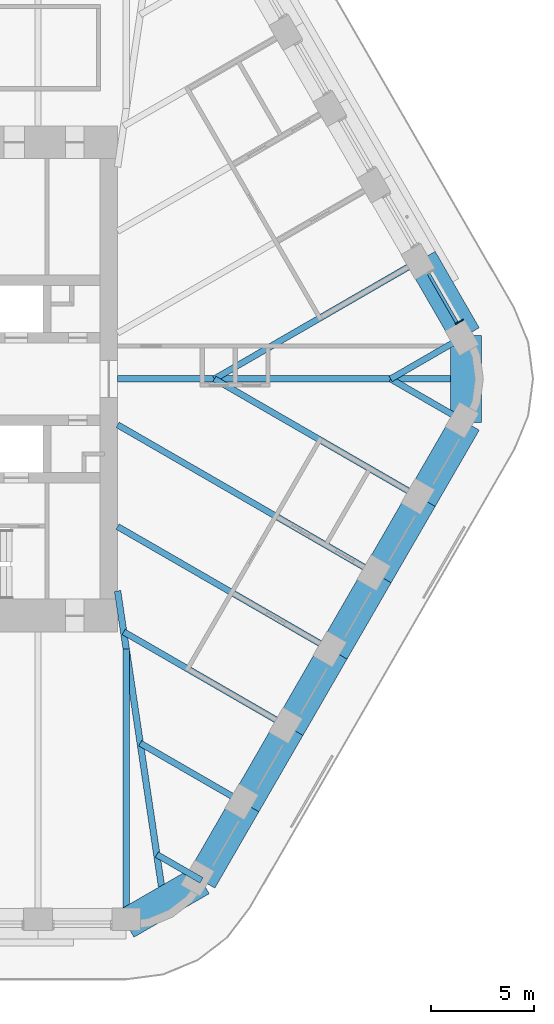
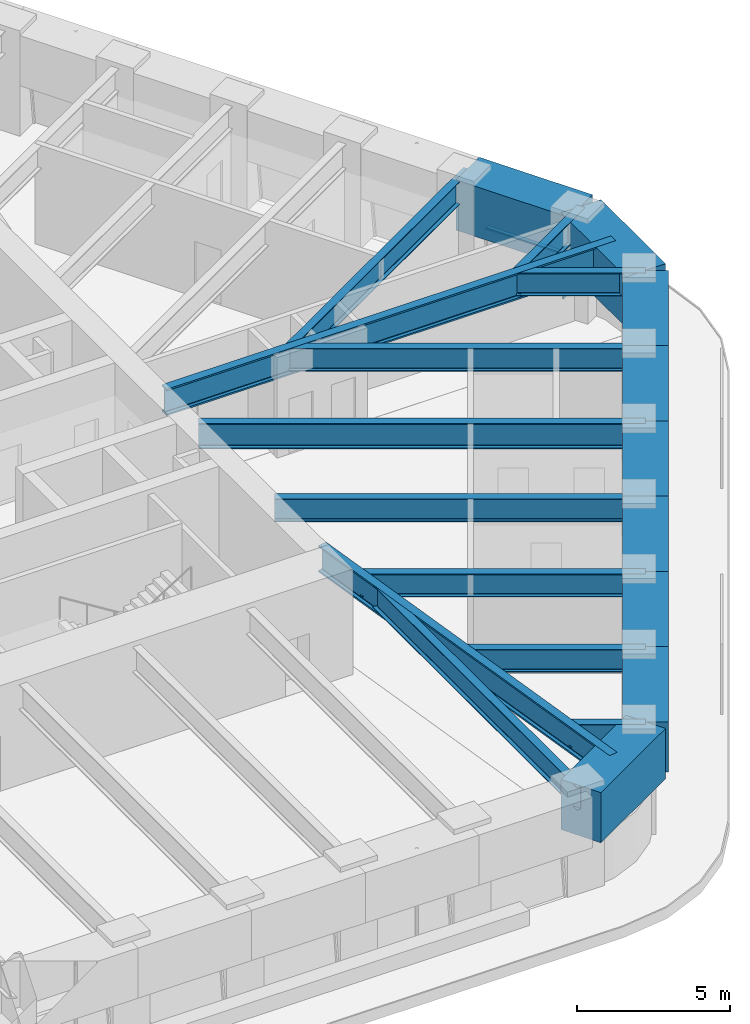
# One storey, part 5 of 18: 21 beams, 2 members, 1 element without a shape of its own.
"""IFC4 building model written with IfcOpenShell, lengths in metres."""

from ifc_helpers import new_model, si_unit, direction, frame, origin, origin_2d, place, context, subcontext, project, spatial, rectangle, i_section, extrude, material, material_profile, profile_set, type_object, element, aggregate, save


model = new_model("IFC4")

# Units and contexts
model_context = context("Model", 3, precision=1e-05, world=origin(), true_north=direction((0.0, 1.0)))
body_context = subcontext(model_context, "Body", "Model", "MODEL_VIEW")
ifc_project = project(units=[si_unit("LENGTHUNIT", "METRE"), si_unit("AREAUNIT", "SQUARE_METRE"), si_unit("VOLUMEUNIT", "CUBIC_METRE"), si_unit("PLANEANGLEUNIT", "RADIAN"), si_unit("MASSUNIT", "GRAM", prefix="KILO")], contexts=[model_context])

# Site, building, storey
site_placement = place(None, origin())
site = spatial("IfcSite", under=ifc_project, at=site_placement, CompositionType="ELEMENT")
building_placement = place(site_placement, origin())
building = spatial("IfcBuilding", under=site, at=building_placement, Name="Tarfa Lantern Tower", CompositionType="ELEMENT")
storey_placement = place(building_placement, frame((0.0, 0.0, 315.699951171875)))
storey = spatial("IfcBuildingStorey", under=building, at=storey_placement, Name="L71", CompositionType="ELEMENT", Elevation=315.699951171875)

# Curtain wall, members
ifc_material_1 = material(Name="Aluminium framed curtain wall", Category="aluminium")
curtain_wall_type = type_object("IfcCurtainWallType", Name="CW4 CANTED GLAZING EXECUTIVE ZONE 2000", PredefinedType="USERDEFINED", material=ifc_material_1)
curtain_wall_placement = place(storey_placement, origin())
curtain_wall = element("IfcCurtainWall", 1, at=curtain_wall_placement, inside=storey, type_object=curtain_wall_type, Name="CW4 NE L71", ObjectType="CURTAIN WALL", PredefinedType="USERDEFINED")
ifc_material_2 = material(Name="Aluminium mullion", Category="aluminium")
ifc_material_profile_1 = material_profile(ifc_material_2, rectangle(XDim=0.06494140625, YDim=0.199951171875, at=origin_2d()), Name="AL MULLION 65x200")
ifc_profile_set_1 = profile_set([ifc_material_profile_1], Name="Aluminium mullion")
member_type_1 = type_object("IfcMemberType", Name="CWM1 MULLION 65x200", PredefinedType="MULLION", material=ifc_profile_set_1)
member_1_placement = place(storey_placement, frame((29.13623046875, 2.83447265625, 0.0), z_axis=(-0.107320246625, -0.062018020623, 0.992288329964), x_axis=(0.500342721131, -0.865827443207, 0.0)))
member_1 = element("IfcMember", 2, at=member_1_placement, type_object=member_type_1, Name="CW4 mullion 1", PredefinedType="MULLION", context=body_context, shape_type="SweptSolid", body=[
    extrude(rectangle(XDim=0.06494140625, YDim=0.199951171875, at=origin_2d()), origin(), (0.0, 0.0, 1.0), 2.015625),
])
ifc_material_3 = material(Name="Aluminium transom", Category="aluminium")
ifc_material_profile_2 = material_profile(ifc_material_3, rectangle(XDim=0.14990234375, YDim=0.06494140625, at=origin_2d()), Name="AL TRANSOM 150x65")
ifc_profile_set_2 = profile_set([ifc_material_profile_2], Name="Aluminium transom")
member_type_2 = type_object("IfcMemberType", Name="CWT1 TRANSOM 150x65", PredefinedType="USERDEFINED", material=ifc_profile_set_2)
member_2_placement = place(storey_placement, frame((28.9072265625, 2.739501953125, 1.967529296875), z_axis=(-0.500060322201, 0.865990573944, 0.0), x_axis=(-0.865990573944, -0.500060322201, 0.0)))
member_2 = element("IfcMember", 3, at=member_2_placement, type_object=member_type_2, Name="CW4 transom 1.2", ObjectType="TRANSOM", PredefinedType="USERDEFINED", context=body_context, shape_type="SweptSolid", body=[
    extrude(rectangle(XDim=0.14990234375, YDim=0.06494140625, at=origin_2d()), origin(), (0.0, 0.0, 1.0), 2.752197265625),
])
aggregate(curtain_wall, [member_1, member_2])

# Beams
ifc_material_4 = material(Name="Concrete C80/95", Category="concrete")
ifc_material_profile_3 = material_profile(ifc_material_4, rectangle(XDim=1.5, YDim=2.0, at=origin_2d()), Name="RC 1500x2000")
ifc_profile_set_3 = profile_set([ifc_material_profile_3], Name="Concrete C80/95")
beam_type_1 = type_object("IfcBeamType", Name="RB3 RC 1500x2000", PredefinedType="BEAM", material=ifc_profile_set_3)
beam_1_placement = place(storey_placement, frame((29.3466796875, 2.110107421875, 3.0), z_axis=(-0.499984039138, 0.866034618596, 0.0), x_axis=(-0.866034618596, -0.499984039138, 0.0)))
element("IfcBeam", 4, at=beam_1_placement, inside=storey, type_object=beam_type_1, Name="Edge beam NE0", PredefinedType="BEAM", context=body_context, shape_type="SweptSolid", body=[
    extrude(rectangle(XDim=1.5, YDim=2.0, at=origin_2d()), origin(), (0.0, 0.0, 1.0), 4.281982421875),
])
beam_2_placement = place(storey_placement, frame((12.845947265625, -26.469970703125, 3.0), z_axis=(0.866048788483, 0.499959494327, 0.0), x_axis=(-0.499959494327, 0.866048788483, 0.0)))
element("IfcBeam", 5, at=beam_2_placement, inside=storey, type_object=beam_type_1, Name="Edge beam S6", PredefinedType="BEAM", context=body_context, shape_type="SweptSolid", body=[
    extrude(rectangle(XDim=1.5, YDim=2.0, at=origin_2d()), origin(), (0.0, 0.0, 1.0), 4.219970703125),
])
for number, where, z_axis, x_axis, name in (
    (6, (16.500732421875, -24.360107421875, 3.0), (0.499959351497, 0.866048870937, 0.0), (-0.866048870937, 0.499959351497, 0.0), "Edge beam SE0"),
    (7, (18.6416015625, -20.651611328125, 3.0), (0.500026801138, 0.866009929587, 0.0), (-0.866009929587, 0.500026801138, 0.0), "Edge beam SE1"),
    (8, (20.78271484375, -16.943359375, 3.0), (0.499984039138, 0.866034618596, 0.0), (-0.866034618596, 0.499984039138, 0.0), "Edge beam SE2"),
):
    element("IfcBeam", number, at=place(storey_placement, frame(where, z_axis=z_axis, x_axis=x_axis)), inside=storey, type_object=beam_type_1, Name=name, PredefinedType="BEAM", context=body_context, shape_type="SweptSolid", body=[
        extrude(rectangle(XDim=1.5, YDim=2.0, at=origin_2d()), origin(), (0.0, 0.0, 1.0), 4.281982421875),
    ])
beam_3_placement = place(storey_placement, frame((22.923583984375, -13.235107421875, 3.0), z_axis=(0.500002112793, 0.866024183959, 0.0), x_axis=(-0.866024183959, 0.500002112793, 0.0)))
element("IfcBeam", 9, at=beam_3_placement, inside=storey, type_object=beam_type_1, Name="Edge beam SE3", PredefinedType="BEAM", context=body_context, shape_type="SweptSolid", body=[
    extrude(rectangle(XDim=1.5, YDim=2.0, at=origin_2d()), origin(), (0.0, 0.0, 1.0), 4.2822265625),
])
for number, where, z_axis, x_axis, name in (
    (10, (25.064697265625, -9.526611328125, 3.0), (0.500026801138, 0.866009929587, 0.0), (-0.866009929587, 0.500026801138, 0.0), "Edge beam SE4"),
    (11, (27.205810546875, -5.818359375, 3.0), (0.499984039138, 0.866034618596, 0.0), (-0.866034618596, 0.499984039138, 0.0), "Edge beam SE5"),
):
    element("IfcBeam", number, at=place(storey_placement, frame(where, z_axis=z_axis, x_axis=x_axis)), inside=storey, type_object=beam_type_1, Name=name, PredefinedType="BEAM", context=body_context, shape_type="SweptSolid", body=[
        extrude(rectangle(XDim=1.5, YDim=2.0, at=origin_2d()), origin(), (0.0, 0.0, 1.0), 4.281982421875),
    ])
beam_4_placement = place(storey_placement, frame((29.3466796875, -2.110107421875, 3.0), z_axis=(0.0, 1.0, 0.0), x_axis=(-1.0, 0.0, 0.0)))
element("IfcBeam", 12, at=beam_4_placement, inside=storey, type_object=beam_type_1, Name="Edge beam SE6", PredefinedType="BEAM", context=body_context, shape_type="SweptSolid", body=[
    extrude(rectangle(XDim=1.5, YDim=2.0, at=origin_2d()), origin(), (0.0, 0.0, 1.0), 4.22021484375),
])
ifc_material_5 = material(Name="Steel S460M", Category="steel")
ifc_material_profile_4 = material_profile(ifc_material_5, i_section(OverallWidth=0.302001953125, OverallDepth=1.008056640625, WebThickness=0.02099609375, FlangeThickness=0.0400390625, FilletRadius=0.030029296875, at=origin_2d()), Name="UB1016x305x349")
ifc_profile_set_4 = profile_set([ifc_material_profile_4], Name="Steel S460M")
beam_type_2 = type_object("IfcBeamType", Name="UB1016x305x349", PredefinedType="BEAM", material=ifc_profile_set_4)
beam_5_placement = place(storey_placement, frame((25.064697265625, -9.526611328125, 3.49609375), z_axis=(-0.866029591389, 0.499992746786, 0.0), x_axis=(-0.499992746786, -0.866029591389, 0.0)))
element("IfcBeam", 13, at=beam_5_placement, inside=storey, type_object=beam_type_2, Name="Floor beam SE4", PredefinedType="BEAM", context=body_context, shape_type="SweptSolid", body=[
    extrude(i_section(OverallWidth=0.302001953125, OverallDepth=1.008056640625, WebThickness=0.02099609375, FlangeThickness=0.0400390625, FilletRadius=0.030029296875, at=origin_2d()), origin(), (0.0, 0.0, 1.0), 14.594970703125),
])
ifc_material_profile_5 = material_profile(ifc_material_5, i_section(OverallWidth=0.314208984375, OverallDepth=1.055908203125, WebThickness=0.035888671875, FlangeThickness=0.06396484375, FilletRadius=0.030029296875, at=origin_2d()), Name="UB1016x305x584")
ifc_profile_set_5 = profile_set([ifc_material_profile_5], Name="Steel S460M")
beam_type_3 = type_object("IfcBeamType", Name="UB1016x305x584", PredefinedType="BEAM", material=ifc_profile_set_5)
beam_6_placement = place(storey_placement, frame((12.425048828125, 0.0, 3.47216796875), z_axis=(1.0, 0.0, 0.0), x_axis=(0.0, 1.0, 0.0)))
element("IfcBeam", 14, at=beam_6_placement, inside=storey, type_object=beam_type_3, Name="Hip girder E", PredefinedType="BEAM", context=body_context, shape_type="SweptSolid", body=[
    extrude(i_section(OverallWidth=0.314208984375, OverallDepth=1.055908203125, WebThickness=0.035888671875, FlangeThickness=0.06396484375, FilletRadius=0.030029296875, at=origin_2d()), origin(), (0.0, 0.0, 1.0), 16.921630859375),
])
beam_7_placement = place(storey_placement, frame((12.425048828125, -10.300048828125, 3.47216796875), z_axis=(0.147127069073, -0.989117599452, 0.0), x_axis=(0.989117599452, 0.147127069073, 0.0)))
element("IfcBeam", 15, at=beam_7_placement, inside=storey, type_object=beam_type_3, Name="Hip girder SE", PredefinedType="BEAM", context=body_context, shape_type="SweptSolid", body=[
    extrude(i_section(OverallWidth=0.314208984375, OverallDepth=1.055908203125, WebThickness=0.035888671875, FlangeThickness=0.06396484375, FilletRadius=0.030029296875, at=origin_2d()), origin(), (0.0, 0.0, 1.0), 15.28125),
])
ifc_material_profile_6 = material_profile(ifc_material_5, i_section(OverallWidth=0.305419921875, OverallDepth=0.91845703125, WebThickness=0.017333984375, FlangeThickness=0.02783203125, FilletRadius=0.01904296875, at=origin_2d()), Name="UB914x305x253")
ifc_profile_set_6 = profile_set([ifc_material_profile_6], Name="Steel S460M")
beam_type_4 = type_object("IfcBeamType", Name="UB914x305x253", PredefinedType="BEAM", material=ifc_profile_set_6)
beam_8_placement = place(storey_placement, frame((29.3466796875, 2.110107421875, 3.540771484375), z_axis=(-0.866009274789, -0.500027935199, 0.0), x_axis=(0.500027935199, -0.866009274789, 0.0)))
element("IfcBeam", 16, at=beam_8_placement, inside=storey, type_object=beam_type_4, Name="Floor beam NE0", PredefinedType="BEAM", context=body_context, shape_type="SweptSolid", body=[
    extrude(i_section(OverallWidth=0.305419921875, OverallDepth=0.91845703125, WebThickness=0.017333984375, FlangeThickness=0.02783203125, FilletRadius=0.01904296875, at=origin_2d()), origin(), (0.0, 0.0, 1.0), 4.219970703125),
])
beam_9_placement = place(storey_placement, frame((27.205810546875, 5.818359375, 3.540771484375), z_axis=(-0.866024171998, -0.500002133511, 0.0), x_axis=(0.500002133511, -0.866024171998, 0.0)))
element("IfcBeam", 17, at=beam_9_placement, inside=storey, type_object=beam_type_4, Name="Floor beam NE1", PredefinedType="BEAM", context=body_context, shape_type="SweptSolid", body=[
    extrude(i_section(OverallWidth=0.305419921875, OverallDepth=0.91845703125, WebThickness=0.017333984375, FlangeThickness=0.02783203125, FilletRadius=0.01904296875, at=origin_2d()), origin(), (0.0, 0.0, 1.0), 11.63671875),
])
beam_10_placement = place(storey_placement, frame((12.845947265625, -26.469970703125, 3.540771484375), z_axis=(0.0, 1.0, 0.0), x_axis=(-1.0, 0.0, 0.0)))
element("IfcBeam", 18, at=beam_10_placement, inside=storey, type_object=beam_type_4, Name="Floor beam S6", PredefinedType="BEAM", context=body_context, shape_type="SweptSolid", body=[
    extrude(i_section(OverallWidth=0.305419921875, OverallDepth=0.91845703125, WebThickness=0.017333984375, FlangeThickness=0.02783203125, FilletRadius=0.01904296875, at=origin_2d()), origin(), (0.0, 0.0, 1.0), 13.33935546875),
])
beam_11_placement = place(storey_placement, frame((16.500732421875, -24.360107421875, 3.540771484375), z_axis=(-0.865992557167, 0.500056887695, 0.0), x_axis=(-0.500056887695, -0.865992557167, 0.0)))
element("IfcBeam", 19, at=beam_11_placement, inside=storey, type_object=beam_type_4, Name="Floor beam SE0", PredefinedType="BEAM", context=body_context, shape_type="SweptSolid", body=[
    extrude(i_section(OverallWidth=0.305419921875, OverallDepth=0.91845703125, WebThickness=0.017333984375, FlangeThickness=0.02783203125, FilletRadius=0.01904296875, at=origin_2d()), origin(), (0.0, 0.0, 1.0), 2.506591796875),
])
beam_12_placement = place(storey_placement, frame((18.6416015625, -20.651611328125, 3.540771484375), z_axis=(-0.866024549157, 0.500001480256, 0.0), x_axis=(-0.500001480256, -0.866024549157, 0.0)))
element("IfcBeam", 20, at=beam_12_placement, inside=storey, type_object=beam_type_4, Name="Floor beam SE1", PredefinedType="BEAM", context=body_context, shape_type="SweptSolid", body=[
    extrude(i_section(OverallWidth=0.305419921875, OverallDepth=0.91845703125, WebThickness=0.017333984375, FlangeThickness=0.02783203125, FilletRadius=0.01904296875, at=origin_2d()), origin(), (0.0, 0.0, 1.0), 5.90771484375),
])
beam_13_placement = place(storey_placement, frame((20.78271484375, -16.943359375, 3.540771484375), z_axis=(-0.866021806508, 0.500006230613, 0.0), x_axis=(-0.500006230613, -0.866021806508, 0.0)))
element("IfcBeam", 21, at=beam_13_placement, inside=storey, type_object=beam_type_4, Name="Floor beam SE2", PredefinedType="BEAM", context=body_context, shape_type="SweptSolid", body=[
    extrude(i_section(OverallWidth=0.305419921875, OverallDepth=0.91845703125, WebThickness=0.017333984375, FlangeThickness=0.02783203125, FilletRadius=0.01904296875, at=origin_2d()), origin(), (0.0, 0.0, 1.0), 9.30908203125),
])
beam_14_placement = place(storey_placement, frame((22.923583984375, -13.235107421875, 3.540771484375), z_axis=(-0.86601856927, 0.500011837539, 0.0), x_axis=(-0.500011837539, -0.86601856927, 0.0)))
element("IfcBeam", 22, at=beam_14_placement, inside=storey, type_object=beam_type_4, Name="Floor beam SE3", PredefinedType="BEAM", context=body_context, shape_type="SweptSolid", body=[
    extrude(i_section(OverallWidth=0.305419921875, OverallDepth=0.91845703125, WebThickness=0.017333984375, FlangeThickness=0.02783203125, FilletRadius=0.01904296875, at=origin_2d()), origin(), (0.0, 0.0, 1.0), 12.122802734375),
])
beam_15_placement = place(storey_placement, frame((27.205810546875, -5.818359375, 3.540771484375), z_axis=(-0.866024171998, 0.500002133511, 0.0), x_axis=(-0.500002133511, -0.866024171998, 0.0)))
element("IfcBeam", 23, at=beam_15_placement, inside=storey, type_object=beam_type_4, Name="Floor beam SE5", PredefinedType="BEAM", context=body_context, shape_type="SweptSolid", body=[
    extrude(i_section(OverallWidth=0.305419921875, OverallDepth=0.91845703125, WebThickness=0.017333984375, FlangeThickness=0.02783203125, FilletRadius=0.01904296875, at=origin_2d()), origin(), (0.0, 0.0, 1.0), 11.63671875),
])
beam_16_placement = place(storey_placement, frame((29.3466796875, -2.110107421875, 3.540771484375), z_axis=(-0.866009274789, 0.500027935199, 0.0), x_axis=(-0.500027935199, -0.866009274789, 0.0)))
element("IfcBeam", 24, at=beam_16_placement, inside=storey, type_object=beam_type_4, Name="Floor beam SE6", PredefinedType="BEAM", context=body_context, shape_type="SweptSolid", body=[
    extrude(i_section(OverallWidth=0.305419921875, OverallDepth=0.91845703125, WebThickness=0.017333984375, FlangeThickness=0.02783203125, FilletRadius=0.01904296875, at=origin_2d()), origin(), (0.0, 0.0, 1.0), 4.219970703125),
])

save(model, "model.ifc")
